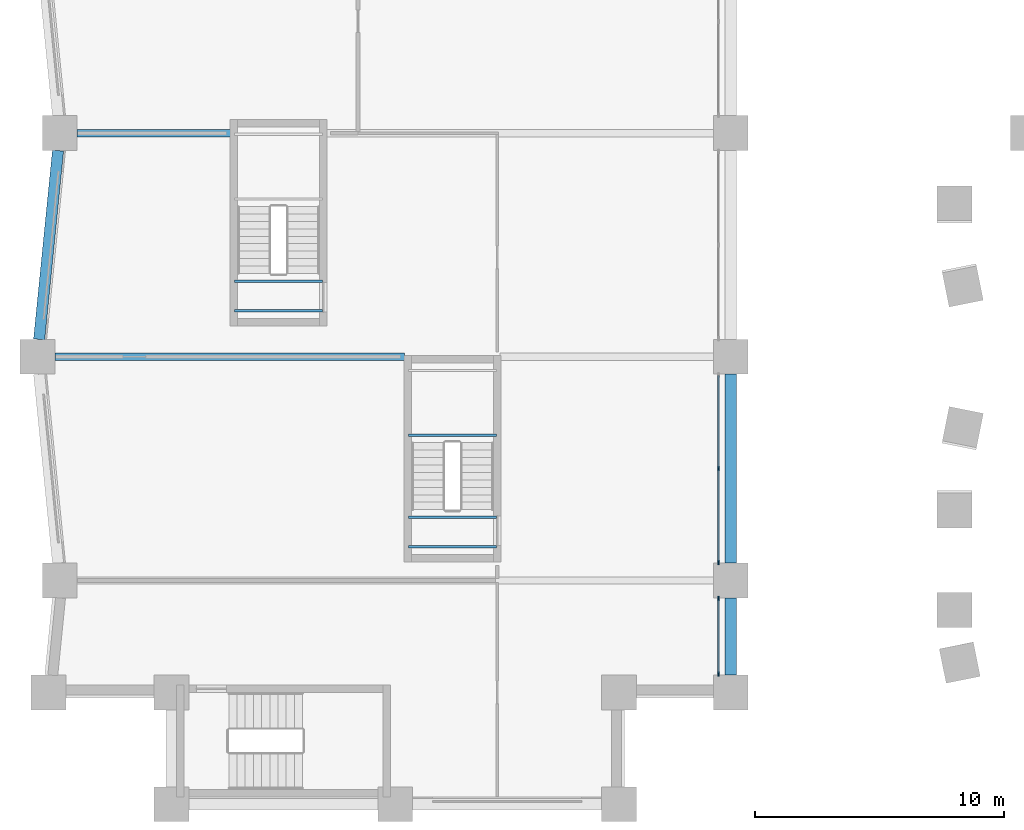
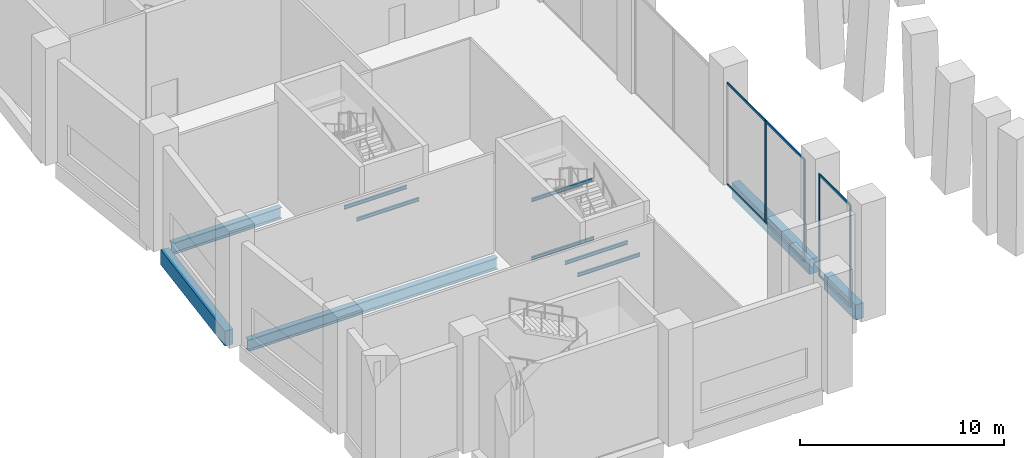
# One storey, part 2 of 18: 11 beams, 10 members, 2 elements without a shape of their own.
"""IFC4 building model written with IfcOpenShell, lengths in metres."""

from ifc_helpers import new_model, si_unit, direction, frame, origin, origin_2d, place, context, subcontext, project, spatial, rectangle, i_section, extrude, material, material_profile, profile_set, type_object, element, aggregate, save


model = new_model("IFC4")

# Units and contexts
model_context = context("Model", 3, precision=1e-05, world=origin(), true_north=direction((0.0, 1.0)))
body_context = subcontext(model_context, "Body", "Model", "MODEL_VIEW")
ifc_project = project(units=[si_unit("LENGTHUNIT", "METRE"), si_unit("AREAUNIT", "SQUARE_METRE"), si_unit("VOLUMEUNIT", "CUBIC_METRE"), si_unit("PLANEANGLEUNIT", "RADIAN"), si_unit("MASSUNIT", "GRAM", prefix="KILO")], contexts=[model_context])

# Site, building, storey
site_placement = place(None, origin())
site = spatial("IfcSite", under=ifc_project, at=site_placement, CompositionType="ELEMENT")
building_placement = place(site_placement, origin())
building = spatial("IfcBuilding", under=site, at=building_placement, Name="Brondeck Convention Tower", CompositionType="ELEMENT")
storey_placement = place(building_placement, frame((0.0, 0.0, 7.5)))
storey = spatial("IfcBuildingStorey", under=building, at=storey_placement, Name="L01", CompositionType="ELEMENT", Elevation=7.5)

# Curtain wall, members
ifc_material_1 = material(Name="Aluminium, bronze anodised", Category="aluminium")
curtain_wall_type = type_object("IfcCurtainWallType", Name="Podium hall curtain wall", PredefinedType="NOTDEFINED", material=ifc_material_1)
curtain_wall_1_placement = place(storey_placement, origin())
curtain_wall_1 = element("IfcCurtainWall", 1, at=curtain_wall_1_placement, inside=storey, type_object=curtain_wall_type, Name="ENV-CW2-L01-B-E-06", PredefinedType="NOTDEFINED")
ifc_material_profile_1 = material_profile(ifc_material_1, rectangle(XDim=0.06005859375, YDim=0.179931640625, at=origin_2d()), Name="CW2 mullion")
ifc_profile_set_1 = profile_set([ifc_material_profile_1], Name="Aluminium, bronze anodised")
member_type_1 = type_object("IfcMemberType", Name="CW2 mullion", PredefinedType="MULLION", material=ifc_profile_set_1)
member_1_placement = place(storey_placement, frame((26.5, 8.27001953125, 0.0), z_axis=(0.0, 0.0, 1.0), x_axis=(1.0, 0.0, 0.0)))
member_1 = element("IfcMember", 2, at=member_1_placement, type_object=member_type_1, Name="CW2 mullion 1", PredefinedType="MULLION", context=body_context, shape_type="SweptSolid", body=[
    extrude(rectangle(XDim=0.06005859375, YDim=0.179931640625, at=origin_2d()), origin(), (0.0, 0.0, 1.0), 6.10009765625),
])
member_2_placement = place(storey_placement, frame((26.5, 5.22998046875, 0.0), z_axis=(0.0, 0.0, 1.0), x_axis=(1.0, 0.0, 0.0)))
member_2 = element("IfcMember", 3, at=member_2_placement, type_object=member_type_1, Name="CW2 mullion 2", PredefinedType="MULLION", context=body_context, shape_type="SweptSolid", body=[
    extrude(rectangle(XDim=0.06005859375, YDim=0.179931640625, at=origin_2d()), origin(), (0.0, 0.0, 1.0), 6.10009765625),
])

curtain_wall_2_placement = place(storey_placement, origin())
curtain_wall_2 = element("IfcCurtainWall", 4, at=curtain_wall_2_placement, inside=storey, type_object=curtain_wall_type, Name="ENV-CW2-L01-B-E-05", PredefinedType="NOTDEFINED")
member_3_placement = place(storey_placement, frame((26.5, 13.5, 0.0), z_axis=(0.0, 0.0, 1.0), x_axis=(1.0, 0.0, 0.0)))
member_3 = element("IfcMember", 5, at=member_3_placement, type_object=member_type_1, Name="CW2 mullion 2", PredefinedType="MULLION", context=body_context, shape_type="SweptSolid", body=[
    extrude(rectangle(XDim=0.06005859375, YDim=0.179931640625, at=origin_2d()), origin(), (0.0, 0.0, 1.0), 6.10009765625),
])
member_4_placement = place(storey_placement, frame((26.5, 9.72998046875, 0.0), z_axis=(0.0, 0.0, 1.0), x_axis=(1.0, 0.0, 0.0)))
member_4 = element("IfcMember", 6, at=member_4_placement, type_object=member_type_1, Name="CW2 mullion 3", PredefinedType="MULLION", context=body_context, shape_type="SweptSolid", body=[
    extrude(rectangle(XDim=0.06005859375, YDim=0.179931640625, at=origin_2d()), origin(), (0.0, 0.0, 1.0), 6.10009765625),
])

# Member
ifc_material_profile_2 = material_profile(ifc_material_1, rectangle(XDim=0.06005859375, YDim=0.139892578125, at=origin_2d()), Name="CW2 transom")
ifc_profile_set_2 = profile_set([ifc_material_profile_2], Name="Aluminium, bronze anodised")
member_type_2 = type_object("IfcMemberType", Name="CW2 transom", PredefinedType="USERDEFINED", material=ifc_profile_set_2)
member_5_placement = place(storey_placement, frame((26.5, 8.239990234375, 0.030029296875), z_axis=(0.0, -1.0, 0.0), x_axis=(1.0, 0.0, 0.0)))
member_5 = element("IfcMember", 7, at=member_5_placement, type_object=member_type_2, Name="CW2 transom 1.1", ObjectType="TRANSOM", PredefinedType="USERDEFINED", context=body_context, shape_type="SweptSolid", body=[
    extrude(rectangle(XDim=0.06005859375, YDim=0.139892578125, at=origin_2d()), origin(), (0.0, 0.0, 1.0), 2.97998046875),
])

member_6_placement = place(storey_placement, frame((26.5, 8.239990234375, 6.070068359375), z_axis=(0.0, -1.0, 0.0), x_axis=(1.0, 0.0, 0.0)))
member_6 = element("IfcMember", 8, at=member_6_placement, type_object=member_type_2, Name="CW2 transom 1.2", ObjectType="TRANSOM", PredefinedType="USERDEFINED", context=body_context, shape_type="SweptSolid", body=[
    extrude(rectangle(XDim=0.06005859375, YDim=0.139892578125, at=origin_2d()), origin(), (0.0, 0.0, 1.0), 2.97998046875),
])

aggregate(curtain_wall_1, [member_1, member_2, member_5, member_6])

member_7_placement = place(storey_placement, frame((26.5, 17.239990234375, 0.030029296875), z_axis=(0.0, -1.0, 0.0), x_axis=(1.0, 0.0, 0.0)))
member_7 = element("IfcMember", 9, at=member_7_placement, type_object=member_type_2, Name="CW2 transom 1.1", ObjectType="TRANSOM", PredefinedType="USERDEFINED", context=body_context, shape_type="SweptSolid", body=[
    extrude(rectangle(XDim=0.06005859375, YDim=0.139892578125, at=origin_2d()), origin(), (0.0, 0.0, 1.0), 3.7099609375),
])

member_8_placement = place(storey_placement, frame((26.5, 17.239990234375, 6.070068359375), z_axis=(0.0, -1.0, 0.0), x_axis=(1.0, 0.0, 0.0)))
member_8 = element("IfcMember", 10, at=member_8_placement, type_object=member_type_2, Name="CW2 transom 1.2", ObjectType="TRANSOM", PredefinedType="USERDEFINED", context=body_context, shape_type="SweptSolid", body=[
    extrude(rectangle(XDim=0.06005859375, YDim=0.139892578125, at=origin_2d()), origin(), (0.0, 0.0, 1.0), 3.7099609375),
])

member_9_placement = place(storey_placement, frame((26.5, 13.469970703125, 0.030029296875), z_axis=(0.0, -1.0, 0.0), x_axis=(1.0, 0.0, 0.0)))
member_9 = element("IfcMember", 11, at=member_9_placement, type_object=member_type_2, Name="CW2 transom 2.1", ObjectType="TRANSOM", PredefinedType="USERDEFINED", context=body_context, shape_type="SweptSolid", body=[
    extrude(rectangle(XDim=0.06005859375, YDim=0.139892578125, at=origin_2d()), origin(), (0.0, 0.0, 1.0), 3.7099609375),
])

member_10_placement = place(storey_placement, frame((26.5, 13.469970703125, 6.070068359375), z_axis=(0.0, -1.0, 0.0), x_axis=(1.0, 0.0, 0.0)))
member_10 = element("IfcMember", 12, at=member_10_placement, type_object=member_type_2, Name="CW2 transom 2.2", ObjectType="TRANSOM", PredefinedType="USERDEFINED", context=body_context, shape_type="SweptSolid", body=[
    extrude(rectangle(XDim=0.06005859375, YDim=0.139892578125, at=origin_2d()), origin(), (0.0, 0.0, 1.0), 3.7099609375),
])

aggregate(curtain_wall_2, [member_3, member_4, member_7, member_8, member_9, member_10])

# Beams
ifc_material_2 = material(Name="Concrete C80/95", Category="concrete")
ifc_material_profile_3 = material_profile(ifc_material_2, rectangle(XDim=0.449951171875, YDim=0.89990234375, at=origin_2d()), Name="Edge beam 450x900 Concrete C80/95")
ifc_profile_set_3 = profile_set([ifc_material_profile_3], Name="Concrete C80/95")
beam_type_1 = type_object("IfcBeamType", Name="Edge beam 450x900 Concrete C80/95", PredefinedType="BEAM", material=ifc_profile_set_3)
beam_1_placement = place(storey_placement, frame((27.0, 5.199951171875, -0.449951171875), z_axis=(0.0, 1.0, 0.0), x_axis=(-1.0, 0.0, 0.0)))
element("IfcBeam", 13, at=beam_1_placement, inside=storey, type_object=beam_type_1, Name="STR-SP-L01-005", PredefinedType="BEAM", context=body_context, shape_type="SweptSolid", body=[
    extrude(rectangle(XDim=0.449951171875, YDim=0.89990234375, at=origin_2d()), origin(), (0.0, 0.0, 1.0), 3.10009765625),
])
beam_2_placement = place(storey_placement, frame((27.0, 9.699951171875, -0.449951171875), z_axis=(0.0, 1.0, 0.0), x_axis=(-1.0, 0.0, 0.0)))
element("IfcBeam", 14, at=beam_2_placement, inside=storey, type_object=beam_type_1, Name="STR-SP-L01-006", PredefinedType="BEAM", context=body_context, shape_type="SweptSolid", body=[
    extrude(rectangle(XDim=0.449951171875, YDim=0.89990234375, at=origin_2d()), origin(), (0.0, 0.0, 1.0), 7.60009765625),
])
beam_3_placement = place(storey_placement, frame((-0.070068359375, 26.300048828125, -0.449951171875), z_axis=(-0.099503719021, -0.99503719021, 0.0), x_axis=(0.99503719021, -0.099503719021, 0.0)))
element("IfcBeam", 15, at=beam_3_placement, inside=storey, type_object=beam_type_1, Name="STR-SP-L01-034", PredefinedType="BEAM", context=body_context, shape_type="SweptSolid", body=[
    extrude(rectangle(XDim=0.449951171875, YDim=0.89990234375, at=origin_2d()), origin(), (0.0, 0.0, 1.0), 7.637939453125),
])
ifc_material_3 = material(Name="Steel S355", Category="steel")
ifc_material_profile_4 = material_profile(ifc_material_3, i_section(OverallWidth=0.300048828125, OverallDepth=0.699951171875, WebThickness=0.01708984375, FlangeThickness=0.031982421875, FilletRadius=0.027099609375, at=origin_2d()), Name="HEB 700")
ifc_profile_set_4 = profile_set([ifc_material_profile_4], Name="Steel S355")
beam_type_2 = type_object("IfcBeamType", Name="Girder HEB 700", PredefinedType="BEAM", material=ifc_profile_set_4)
beam_4_placement = place(storey_placement, frame((-0.199951171875, 18.0, -0.64990234375), z_axis=(1.0, 0.0, 0.0), x_axis=(0.0, 1.0, 0.0)))
element("IfcBeam", 16, at=beam_4_placement, inside=storey, type_object=beam_type_2, Name="STR-GR-L01-008", PredefinedType="BEAM", context=body_context, shape_type="SweptSolid", body=[
    extrude(i_section(OverallWidth=0.300048828125, OverallDepth=0.699951171875, WebThickness=0.01708984375, FlangeThickness=0.031982421875, FilletRadius=0.027099609375, at=origin_2d()), origin(), (0.0, 0.0, 1.0), 14.079833984375),
])
beam_5_placement = place(storey_placement, frame((0.699951171875, 27.0, -0.64990234375), z_axis=(1.0, 0.0, 0.0), x_axis=(0.0, 1.0, 0.0)))
element("IfcBeam", 17, at=beam_5_placement, inside=storey, type_object=beam_type_2, Name="STR-GR-L01-010", PredefinedType="BEAM", context=body_context, shape_type="SweptSolid", body=[
    extrude(i_section(OverallWidth=0.300048828125, OverallDepth=0.699951171875, WebThickness=0.01708984375, FlangeThickness=0.031982421875, FilletRadius=0.027099609375, at=origin_2d()), origin(), (0.0, 0.0, 1.0), 6.179931640625),
])
ifc_material_profile_5 = material_profile(ifc_material_3, i_section(OverallWidth=0.10009765625, OverallDepth=0.199951171875, WebThickness=0.005615234375, FlangeThickness=0.008544921875, FilletRadius=0.011962890625, at=origin_2d()), Name="IPE200")
ifc_profile_set_5 = profile_set([ifc_material_profile_5], Name="Steel S355")
beam_type_3 = type_object("IfcBeamType", Name="Landing ledger beam IPE 200", PredefinedType="BEAM", material=ifc_profile_set_5)
for number, where, z_axis, x_axis, name in (
    (18, (10.570068359375, 19.85009765625, 3.14990234375), (-1.0, 0.0, 0.0), (0.0, -1.0, 0.0), "L01 ST-BE landing beam"),
    (19, (10.570068359375, 21.050048828125, 3.14990234375), (-1.0, 0.0, 0.0), (0.0, -1.0, 0.0), "L01 ST-BE landing beam"),
    (20, (17.570068359375, 14.85009765625, 1.39990234375), (-1.0, 0.0, 0.0), (0.0, -1.0, 0.0), "L01 ST-BF landing beam"),
    (21, (17.570068359375, 10.35009765625, 3.14990234375), (-1.0, 0.0, 0.0), (0.0, -1.0, 0.0), "L01 ST-BF landing beam"),
    (22, (17.570068359375, 11.550048828125, 3.14990234375), (-1.0, 0.0, 0.0), (0.0, -1.0, 0.0), "L01 ST-BF landing beam"),
    (23, (17.570068359375, 14.85009765625, 4.89990234375), (-1.0, 0.0, 0.0), (0.0, -1.0, 0.0), "L01 ST-BF landing beam"),
):
    element("IfcBeam", number, at=place(storey_placement, frame(where, z_axis=z_axis, x_axis=x_axis)), inside=storey, type_object=beam_type_3, Name=name, PredefinedType="BEAM", context=body_context, shape_type="SweptSolid", body=[
        extrude(i_section(OverallWidth=0.10009765625, OverallDepth=0.199951171875, WebThickness=0.005615234375, FlangeThickness=0.008544921875, FilletRadius=0.011962890625, at=origin_2d()), origin(), (0.0, 0.0, 1.0), 3.5400390625),
    ])

save(model, "model.ifc")
